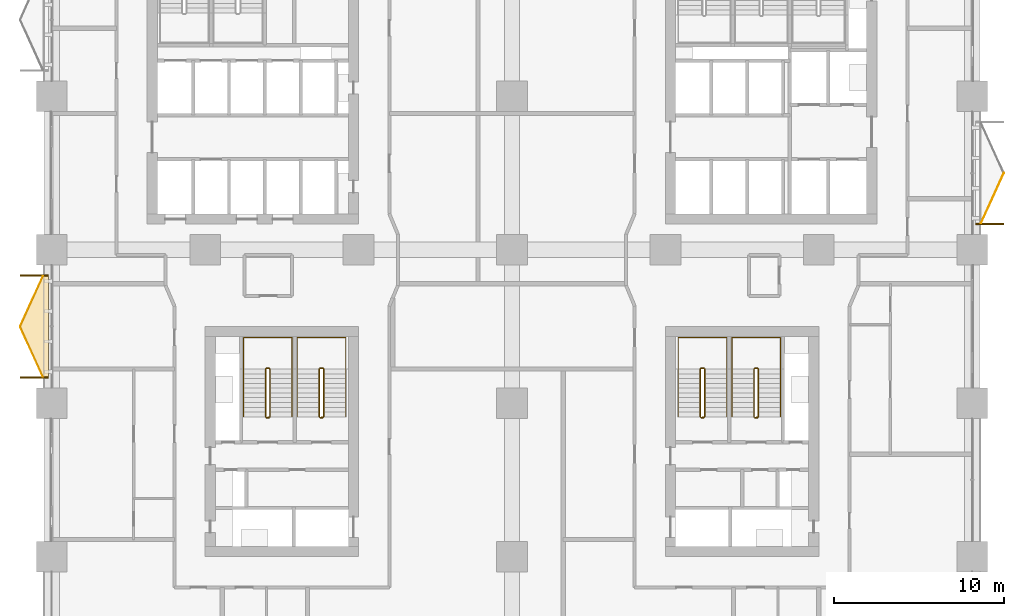
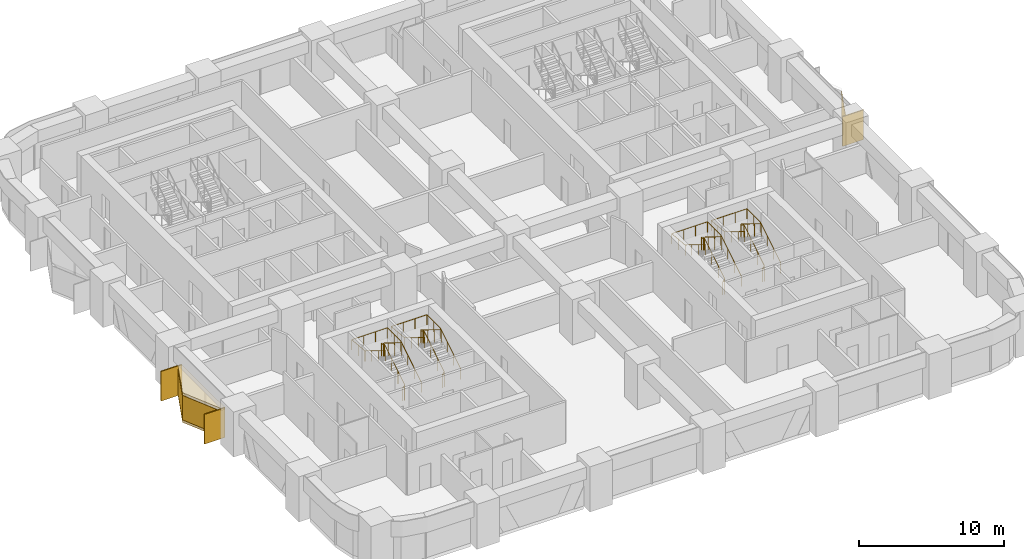
# One storey, part 19 of 21: 8 coverings, 8 railings.
"""IFC4 building model written with IfcOpenShell, lengths in metres."""

from ifc_helpers import new_model, si_unit, direction, frame, origin, origin_2d, place, context, subcontext, project, spatial, polyline, rectangle, circle, outline, extrude, material, layer, layer_set, type_object, element, save


model = new_model("IFC4")

# Units and contexts
model_context = context("Model", 3, precision=1e-05, world=origin(), true_north=direction((0.0, 1.0)))
body_context = subcontext(model_context, "Body", "Model", "MODEL_VIEW")
ifc_project = project(units=[si_unit("LENGTHUNIT", "METRE"), si_unit("AREAUNIT", "SQUARE_METRE"), si_unit("VOLUMEUNIT", "CUBIC_METRE"), si_unit("PLANEANGLEUNIT", "RADIAN"), si_unit("MASSUNIT", "GRAM", prefix="KILO")], contexts=[model_context])

# Site, building, storey
site_placement = place(None, origin())
site = spatial("IfcSite", under=ifc_project, at=site_placement, CompositionType="ELEMENT")
building_placement = place(site_placement, origin())
building = spatial("IfcBuilding", under=site, at=building_placement, Name="Tessera Arch", CompositionType="ELEMENT")
storey_placement = place(building_placement, frame((0.0, 0.0, 42.39990234375)))
storey = spatial("IfcBuildingStorey", under=building, at=storey_placement, Name="L08", CompositionType="ELEMENT", Elevation=42.39990234375)

# Railings
ifc_material_1 = material(Name="Painted steel balustrade", Category="steel")
railing_type_1 = type_object("IfcRailingType", Name="Stair guard 1100", PredefinedType="GUARDRAIL", material=ifc_material_1)
railing_1_placement = place(storey_placement, frame((38.25, 17.14990234375, 0.0)))
element("IfcRailing", 1, at=railing_1_placement, inside=storey, type_object=railing_type_1, Name="L08 S3a stair guard 1", PredefinedType="GUARDRAIL", context=body_context, shape_type="SweptSolid", body=[
    extrude(circle(Radius=0.02392578125, at=origin_2d()), frame((0.00390625, 0.0, 1.076171875), z_axis=(-1.0, 0.0, 0.0), x_axis=(0.0, -1.0, 0.0)), (0.0, 0.0, 1.0), 0.157958984375),
    extrude(circle(Radius=0.02392578125, at=origin_2d()), frame((-0.15283203125, -0.000732421875, 1.073486328125), z_axis=(0.743302536996, 0.186052527575, 0.642561900114), x_axis=(-0.242814311512, 0.970072785993, 0.0)), (0.0, 0.0, 1.0), 0.277099609375),
    extrude(circle(Radius=0.02392578125, at=origin_2d()), frame((0.050048828125, 0.046630859375, 1.246826171875), z_axis=(0.0, 0.851089632645, 0.525020415988), x_axis=(-1.0, 0.0, 0.0)), (0.0, 0.0, 1.0), 3.2978515625),
    extrude(circle(Radius=0.02392578125, at=origin_2d()), frame((0.052978515625, 2.84716796875, 2.97607421875), z_axis=(-0.707106781187, 0.707106781187, 0.0), x_axis=(-0.707106781187, -0.707106781187, 0.0)), (0.0, 0.0, 1.0), 0.078857421875),
    extrude(circle(Radius=0.02392578125, at=origin_2d()), frame((0.00390625, 2.900146484375, 2.97607421875), z_axis=(-1.0, 0.0, 0.0), x_axis=(0.0, -1.0, 0.0)), (0.0, 0.0, 1.0), 0.157958984375),
    extrude(circle(Radius=0.02392578125, at=origin_2d()), frame((-0.14892578125, 2.901123046875, 2.972412109375), z_axis=(-0.268277960024, -0.268277960024, 0.925231793839), x_axis=(0.707106781187, -0.707106781187, 0.0)), (0.0, 0.0, 1.0), 0.194580078125),
    extrude(circle(Radius=0.02392578125, at=origin_2d()), frame((-0.199951171875, 2.853515625, 3.146728515625), z_axis=(0.0, -0.851089632645, 0.525020415988), x_axis=(1.0, 0.0, 0.0)), (0.0, 0.0, 1.0), 3.2978515625),
    extrude(circle(Radius=0.02099609375, at=origin_2d()), origin(), (0.0, 0.0, 1.0), 1.06396484375),
    extrude(circle(Radius=0.02099609375, at=origin_2d()), frame((-0.14990234375, 0.0, 0.0)), (0.0, 0.0, 1.0), 1.06396484375),
    extrude(circle(Radius=0.02099609375, at=origin_2d()), frame((0.050048828125, 0.050048828125, 0.1728515625)), (0.0, 0.0, 1.0), 1.06396484375),
    extrude(circle(Radius=0.02099609375, at=origin_2d()), frame((0.050048828125, 0.9833984375, 0.74853515625)), (0.0, 0.0, 1.0), 1.06396484375),
    extrude(circle(Radius=0.02099609375, at=origin_2d()), frame((0.050048828125, 1.916748046875, 1.324462890625)), (0.0, 0.0, 1.0), 1.06396484375),
    extrude(circle(Radius=0.02099609375, at=origin_2d()), frame((0.050048828125, 2.85009765625, 1.900146484375)), (0.0, 0.0, 1.0), 1.06396484375),
    extrude(circle(Radius=0.02099609375, at=origin_2d()), frame((0.0, 2.900146484375, 1.900146484375)), (0.0, 0.0, 1.0), 1.06396484375),
    extrude(circle(Radius=0.02099609375, at=origin_2d()), frame((-0.14990234375, 2.900146484375, 1.900146484375)), (0.0, 0.0, 1.0), 1.06396484375),
    extrude(circle(Radius=0.02099609375, at=origin_2d()), frame((-0.199951171875, 2.85009765625, 2.07275390625)), (0.0, 0.0, 1.0), 1.06396484375),
    extrude(circle(Radius=0.02099609375, at=origin_2d()), frame((-0.199951171875, 1.916748046875, 2.6484375)), (0.0, 0.0, 1.0), 1.06396484375),
    extrude(circle(Radius=0.02099609375, at=origin_2d()), frame((-0.199951171875, 0.9833984375, 3.224365234375)), (0.0, 0.0, 1.0), 1.06396484375),
    extrude(circle(Radius=0.02099609375, at=origin_2d()), frame((-0.199951171875, 0.050048828125, 3.800048828125)), (0.0, 0.0, 1.0), 1.06396484375),
])
railing_2_placement = place(storey_placement, frame((41.39990234375, 17.14990234375, 0.0)))
element("IfcRailing", 2, at=railing_2_placement, inside=storey, type_object=railing_type_1, Name="L08 S3b stair guard 1", PredefinedType="GUARDRAIL", context=body_context, shape_type="SweptSolid", body=[
    extrude(circle(Radius=0.02392578125, at=origin_2d()), frame((0.00390625, 0.0, 1.076171875), z_axis=(-1.0, 0.0, 0.0), x_axis=(0.0, -1.0, 0.0)), (0.0, 0.0, 1.0), 0.157958984375),
    extrude(circle(Radius=0.02392578125, at=origin_2d()), frame((-0.15283203125, -0.000732421875, 1.073486328125), z_axis=(0.743302536996, 0.186052527575, 0.642561900114), x_axis=(-0.242814311512, 0.970072785993, 0.0)), (0.0, 0.0, 1.0), 0.277099609375),
    extrude(circle(Radius=0.02392578125, at=origin_2d()), frame((0.050048828125, 0.046630859375, 1.246826171875), z_axis=(0.0, 0.851089632645, 0.525020415988), x_axis=(-1.0, 0.0, 0.0)), (0.0, 0.0, 1.0), 3.2978515625),
    extrude(circle(Radius=0.02392578125, at=origin_2d()), frame((0.052978515625, 2.84716796875, 2.97607421875), z_axis=(-0.707106781187, 0.707106781187, 0.0), x_axis=(-0.707106781187, -0.707106781187, 0.0)), (0.0, 0.0, 1.0), 0.078857421875),
    extrude(circle(Radius=0.02392578125, at=origin_2d()), frame((0.00390625, 2.900146484375, 2.97607421875), z_axis=(-1.0, 0.0, 0.0), x_axis=(0.0, -1.0, 0.0)), (0.0, 0.0, 1.0), 0.157958984375),
    extrude(circle(Radius=0.02392578125, at=origin_2d()), frame((-0.14892578125, 2.901123046875, 2.972412109375), z_axis=(-0.268277960024, -0.268277960024, 0.925231793839), x_axis=(0.707106781187, -0.707106781187, 0.0)), (0.0, 0.0, 1.0), 0.194580078125),
    extrude(circle(Radius=0.02392578125, at=origin_2d()), frame((-0.199951171875, 2.853515625, 3.146728515625), z_axis=(0.0, -0.851089632645, 0.525020415988), x_axis=(1.0, 0.0, 0.0)), (0.0, 0.0, 1.0), 3.2978515625),
    extrude(circle(Radius=0.02099609375, at=origin_2d()), origin(), (0.0, 0.0, 1.0), 1.06396484375),
    extrude(circle(Radius=0.02099609375, at=origin_2d()), frame((-0.14990234375, 0.0, 0.0)), (0.0, 0.0, 1.0), 1.06396484375),
    extrude(circle(Radius=0.02099609375, at=origin_2d()), frame((0.050048828125, 0.050048828125, 0.1728515625)), (0.0, 0.0, 1.0), 1.06396484375),
    extrude(circle(Radius=0.02099609375, at=origin_2d()), frame((0.050048828125, 0.9833984375, 0.74853515625)), (0.0, 0.0, 1.0), 1.06396484375),
    extrude(circle(Radius=0.02099609375, at=origin_2d()), frame((0.050048828125, 1.916748046875, 1.324462890625)), (0.0, 0.0, 1.0), 1.06396484375),
    extrude(circle(Radius=0.02099609375, at=origin_2d()), frame((0.050048828125, 2.85009765625, 1.900146484375)), (0.0, 0.0, 1.0), 1.06396484375),
    extrude(circle(Radius=0.02099609375, at=origin_2d()), frame((0.0, 2.900146484375, 1.900146484375)), (0.0, 0.0, 1.0), 1.06396484375),
    extrude(circle(Radius=0.02099609375, at=origin_2d()), frame((-0.14990234375, 2.900146484375, 1.900146484375)), (0.0, 0.0, 1.0), 1.06396484375),
    extrude(circle(Radius=0.02099609375, at=origin_2d()), frame((-0.199951171875, 2.85009765625, 2.07275390625)), (0.0, 0.0, 1.0), 1.06396484375),
    extrude(circle(Radius=0.02099609375, at=origin_2d()), frame((-0.199951171875, 1.916748046875, 2.6484375)), (0.0, 0.0, 1.0), 1.06396484375),
    extrude(circle(Radius=0.02099609375, at=origin_2d()), frame((-0.199951171875, 0.9833984375, 3.224365234375)), (0.0, 0.0, 1.0), 1.06396484375),
    extrude(circle(Radius=0.02099609375, at=origin_2d()), frame((-0.199951171875, 0.050048828125, 3.800048828125)), (0.0, 0.0, 1.0), 1.06396484375),
])
railing_3_placement = place(storey_placement, frame((15.89990234375, 17.14990234375, 0.0)))
element("IfcRailing", 3, at=railing_3_placement, inside=storey, type_object=railing_type_1, Name="L08 S4a stair guard 1", PredefinedType="GUARDRAIL", context=body_context, shape_type="SweptSolid", body=[
    extrude(circle(Radius=0.02392578125, at=origin_2d()), frame((0.00390625, 0.0, 1.076171875), z_axis=(-1.0, 0.0, 0.0), x_axis=(0.0, -1.0, 0.0)), (0.0, 0.0, 1.0), 0.157958984375),
    extrude(circle(Radius=0.02392578125, at=origin_2d()), frame((-0.15283203125, -0.000732421875, 1.073486328125), z_axis=(0.743302536996, 0.186052527575, 0.642561900114), x_axis=(-0.242814311512, 0.970072785993, 0.0)), (0.0, 0.0, 1.0), 0.277099609375),
    extrude(circle(Radius=0.02392578125, at=origin_2d()), frame((0.050048828125, 0.046630859375, 1.246826171875), z_axis=(0.0, 0.851089632645, 0.525020415988), x_axis=(-1.0, 0.0, 0.0)), (0.0, 0.0, 1.0), 3.2978515625),
    extrude(circle(Radius=0.02392578125, at=origin_2d()), frame((0.052978515625, 2.84716796875, 2.97607421875), z_axis=(-0.707106781187, 0.707106781187, 0.0), x_axis=(-0.707106781187, -0.707106781187, 0.0)), (0.0, 0.0, 1.0), 0.078857421875),
    extrude(circle(Radius=0.02392578125, at=origin_2d()), frame((0.00390625, 2.900146484375, 2.97607421875), z_axis=(-1.0, 0.0, 0.0), x_axis=(0.0, -1.0, 0.0)), (0.0, 0.0, 1.0), 0.157958984375),
    extrude(circle(Radius=0.02392578125, at=origin_2d()), frame((-0.14892578125, 2.901123046875, 2.972412109375), z_axis=(-0.268277960024, -0.268277960024, 0.925231793839), x_axis=(0.707106781187, -0.707106781187, 0.0)), (0.0, 0.0, 1.0), 0.194580078125),
    extrude(circle(Radius=0.02392578125, at=origin_2d()), frame((-0.199951171875, 2.853515625, 3.146728515625), z_axis=(0.0, -0.851089632645, 0.525020415988), x_axis=(1.0, 0.0, 0.0)), (0.0, 0.0, 1.0), 3.2978515625),
    extrude(circle(Radius=0.02099609375, at=origin_2d()), origin(), (0.0, 0.0, 1.0), 1.06396484375),
    extrude(circle(Radius=0.02099609375, at=origin_2d()), frame((-0.14990234375, 0.0, 0.0)), (0.0, 0.0, 1.0), 1.06396484375),
    extrude(circle(Radius=0.02099609375, at=origin_2d()), frame((0.050048828125, 0.050048828125, 0.1728515625)), (0.0, 0.0, 1.0), 1.06396484375),
    extrude(circle(Radius=0.02099609375, at=origin_2d()), frame((0.050048828125, 0.9833984375, 0.74853515625)), (0.0, 0.0, 1.0), 1.06396484375),
    extrude(circle(Radius=0.02099609375, at=origin_2d()), frame((0.050048828125, 1.916748046875, 1.324462890625)), (0.0, 0.0, 1.0), 1.06396484375),
    extrude(circle(Radius=0.02099609375, at=origin_2d()), frame((0.050048828125, 2.85009765625, 1.900146484375)), (0.0, 0.0, 1.0), 1.06396484375),
    extrude(circle(Radius=0.02099609375, at=origin_2d()), frame((0.0, 2.900146484375, 1.900146484375)), (0.0, 0.0, 1.0), 1.06396484375),
    extrude(circle(Radius=0.02099609375, at=origin_2d()), frame((-0.14990234375, 2.900146484375, 1.900146484375)), (0.0, 0.0, 1.0), 1.06396484375),
    extrude(circle(Radius=0.02099609375, at=origin_2d()), frame((-0.199951171875, 2.85009765625, 2.07275390625)), (0.0, 0.0, 1.0), 1.06396484375),
    extrude(circle(Radius=0.02099609375, at=origin_2d()), frame((-0.199951171875, 1.916748046875, 2.6484375)), (0.0, 0.0, 1.0), 1.06396484375),
    extrude(circle(Radius=0.02099609375, at=origin_2d()), frame((-0.199951171875, 0.9833984375, 3.224365234375)), (0.0, 0.0, 1.0), 1.06396484375),
    extrude(circle(Radius=0.02099609375, at=origin_2d()), frame((-0.199951171875, 0.050048828125, 3.800048828125)), (0.0, 0.0, 1.0), 1.06396484375),
])
railing_4_placement = place(storey_placement, frame((12.75, 17.14990234375, 0.0)))
element("IfcRailing", 4, at=railing_4_placement, inside=storey, type_object=railing_type_1, Name="L08 S4b stair guard 1", PredefinedType="GUARDRAIL", context=body_context, shape_type="SweptSolid", body=[
    extrude(circle(Radius=0.02392578125, at=origin_2d()), frame((0.00390625, 0.0, 1.076171875), z_axis=(-1.0, 0.0, 0.0), x_axis=(0.0, -1.0, 0.0)), (0.0, 0.0, 1.0), 0.157958984375),
    extrude(circle(Radius=0.02392578125, at=origin_2d()), frame((-0.15283203125, -0.000732421875, 1.073486328125), z_axis=(0.743302536996, 0.186052527575, 0.642561900114), x_axis=(-0.242814311512, 0.970072785993, 0.0)), (0.0, 0.0, 1.0), 0.277099609375),
    extrude(circle(Radius=0.02392578125, at=origin_2d()), frame((0.050048828125, 0.046630859375, 1.246826171875), z_axis=(0.0, 0.851089632645, 0.525020415988), x_axis=(-1.0, 0.0, 0.0)), (0.0, 0.0, 1.0), 3.2978515625),
    extrude(circle(Radius=0.02392578125, at=origin_2d()), frame((0.052978515625, 2.84716796875, 2.97607421875), z_axis=(-0.707106781187, 0.707106781187, 0.0), x_axis=(-0.707106781187, -0.707106781187, 0.0)), (0.0, 0.0, 1.0), 0.078857421875),
    extrude(circle(Radius=0.02392578125, at=origin_2d()), frame((0.00390625, 2.900146484375, 2.97607421875), z_axis=(-1.0, 0.0, 0.0), x_axis=(0.0, -1.0, 0.0)), (0.0, 0.0, 1.0), 0.157958984375),
    extrude(circle(Radius=0.02392578125, at=origin_2d()), frame((-0.14892578125, 2.901123046875, 2.972412109375), z_axis=(-0.268277960024, -0.268277960024, 0.925231793839), x_axis=(0.707106781187, -0.707106781187, 0.0)), (0.0, 0.0, 1.0), 0.194580078125),
    extrude(circle(Radius=0.02392578125, at=origin_2d()), frame((-0.199951171875, 2.853515625, 3.146728515625), z_axis=(0.0, -0.851089632645, 0.525020415988), x_axis=(1.0, 0.0, 0.0)), (0.0, 0.0, 1.0), 3.2978515625),
    extrude(circle(Radius=0.02099609375, at=origin_2d()), origin(), (0.0, 0.0, 1.0), 1.06396484375),
    extrude(circle(Radius=0.02099609375, at=origin_2d()), frame((-0.14990234375, 0.0, 0.0)), (0.0, 0.0, 1.0), 1.06396484375),
    extrude(circle(Radius=0.02099609375, at=origin_2d()), frame((0.050048828125, 0.050048828125, 0.1728515625)), (0.0, 0.0, 1.0), 1.06396484375),
    extrude(circle(Radius=0.02099609375, at=origin_2d()), frame((0.050048828125, 0.9833984375, 0.74853515625)), (0.0, 0.0, 1.0), 1.06396484375),
    extrude(circle(Radius=0.02099609375, at=origin_2d()), frame((0.050048828125, 1.916748046875, 1.324462890625)), (0.0, 0.0, 1.0), 1.06396484375),
    extrude(circle(Radius=0.02099609375, at=origin_2d()), frame((0.050048828125, 2.85009765625, 1.900146484375)), (0.0, 0.0, 1.0), 1.06396484375),
    extrude(circle(Radius=0.02099609375, at=origin_2d()), frame((0.0, 2.900146484375, 1.900146484375)), (0.0, 0.0, 1.0), 1.06396484375),
    extrude(circle(Radius=0.02099609375, at=origin_2d()), frame((-0.14990234375, 2.900146484375, 1.900146484375)), (0.0, 0.0, 1.0), 1.06396484375),
    extrude(circle(Radius=0.02099609375, at=origin_2d()), frame((-0.199951171875, 2.85009765625, 2.07275390625)), (0.0, 0.0, 1.0), 1.06396484375),
    extrude(circle(Radius=0.02099609375, at=origin_2d()), frame((-0.199951171875, 1.916748046875, 2.6484375)), (0.0, 0.0, 1.0), 1.06396484375),
    extrude(circle(Radius=0.02099609375, at=origin_2d()), frame((-0.199951171875, 0.9833984375, 3.224365234375)), (0.0, 0.0, 1.0), 1.06396484375),
    extrude(circle(Radius=0.02099609375, at=origin_2d()), frame((-0.199951171875, 0.050048828125, 3.800048828125)), (0.0, 0.0, 1.0), 1.06396484375),
])
ifc_material_2 = material(Name="Painted steel handrail", Category="steel")
railing_type_2 = type_object("IfcRailingType", Name="Stair handrail 900", PredefinedType="HANDRAIL", material=ifc_material_2)
railing_5_placement = place(storey_placement, frame((39.60009765625, 17.199951171875, 0.1728515625)))
element("IfcRailing", 5, at=railing_5_placement, inside=storey, type_object=railing_type_2, Name="L08 S3a stair handrail", PredefinedType="HANDRAIL", context=body_context, shape_type="SweptSolid", body=[
    extrude(circle(Radius=0.02392578125, at=origin_2d()), frame((0.0, -0.00341796875, 0.873779296875), z_axis=(0.0, 0.851089632645, 0.525020415988), x_axis=(-1.0, 0.0, 0.0)), (0.0, 0.0, 1.0), 3.2978515625),
    extrude(circle(Radius=0.02392578125, at=origin_2d()), frame((0.0, 2.796142578125, 2.60302734375), z_axis=(0.0, 1.0, 0.0), x_axis=(-1.0, 0.0, 0.0)), (0.0, 0.0, 1.0), 1.858154296875),
    extrude(circle(Radius=0.02392578125, at=origin_2d()), frame((0.00390625, 4.650146484375, 2.60302734375), z_axis=(-1.0, 0.0, 0.0), x_axis=(0.0, -1.0, 0.0)), (0.0, 0.0, 1.0), 2.858154296875),
    extrude(circle(Radius=0.02392578125, at=origin_2d()), frame((-2.85009765625, 4.654052734375, 2.602783203125), z_axis=(0.0, -0.995676099079, 0.092892979948), x_axis=(1.0, 0.0, 0.0)), (0.0, 0.0, 1.0), 1.8662109375),
    extrude(circle(Radius=0.02392578125, at=origin_2d()), frame((-2.85009765625, 2.803466796875, 2.773681640625), z_axis=(0.0, -0.851089632645, 0.525020415988), x_axis=(1.0, 0.0, 0.0)), (0.0, 0.0, 1.0), 3.2978515625),
    extrude(circle(Radius=0.02099609375, at=origin_2d()), origin(), (0.0, 0.0, 1.0), 0.86376953125),
    extrude(circle(Radius=0.02099609375, at=origin_2d()), frame((0.0, 0.933349609375, 0.57568359375)), (0.0, 0.0, 1.0), 0.86376953125),
    extrude(circle(Radius=0.02099609375, at=origin_2d()), frame((0.0, 1.86669921875, 1.151611328125)), (0.0, 0.0, 1.0), 0.86376953125),
    extrude(circle(Radius=0.02099609375, at=origin_2d()), frame((0.0, 2.800048828125, 1.727294921875)), (0.0, 0.0, 1.0), 0.86376953125),
    extrude(circle(Radius=0.02099609375, at=origin_2d()), frame((0.0, 3.72509765625, 1.727294921875)), (0.0, 0.0, 1.0), 0.86376953125),
    extrude(circle(Radius=0.02099609375, at=origin_2d()), frame((0.0, 4.650146484375, 1.727294921875)), (0.0, 0.0, 1.0), 0.86376953125),
    extrude(circle(Radius=0.02099609375, at=origin_2d()), frame((-0.949951171875, 4.650146484375, 1.727294921875)), (0.0, 0.0, 1.0), 0.86376953125),
    extrude(circle(Radius=0.02099609375, at=origin_2d()), frame((-1.900146484375, 4.650146484375, 1.727294921875)), (0.0, 0.0, 1.0), 0.86376953125),
    extrude(circle(Radius=0.02099609375, at=origin_2d()), frame((-2.85009765625, 4.650146484375, 1.727294921875)), (0.0, 0.0, 1.0), 0.86376953125),
    extrude(circle(Radius=0.02099609375, at=origin_2d()), frame((-2.85009765625, 3.72509765625, 1.8134765625)), (0.0, 0.0, 1.0), 0.86376953125),
    extrude(circle(Radius=0.02099609375, at=origin_2d()), frame((-2.85009765625, 2.800048828125, 1.89990234375)), (0.0, 0.0, 1.0), 0.86376953125),
    extrude(circle(Radius=0.02099609375, at=origin_2d()), frame((-2.85009765625, 1.86669921875, 2.4755859375)), (0.0, 0.0, 1.0), 0.86376953125),
    extrude(circle(Radius=0.02099609375, at=origin_2d()), frame((-2.85009765625, 0.933349609375, 3.051513671875)), (0.0, 0.0, 1.0), 0.86376953125),
    extrude(circle(Radius=0.02099609375, at=origin_2d()), frame((-2.85009765625, 0.0, 3.627197265625)), (0.0, 0.0, 1.0), 0.86376953125),
])
railing_6_placement = place(storey_placement, frame((42.75, 17.199951171875, 0.1728515625)))
element("IfcRailing", 6, at=railing_6_placement, inside=storey, type_object=railing_type_2, Name="L08 S3b stair handrail", PredefinedType="HANDRAIL", context=body_context, shape_type="SweptSolid", body=[
    extrude(circle(Radius=0.02392578125, at=origin_2d()), frame((0.0, -0.00341796875, 0.873779296875), z_axis=(0.0, 0.851089632645, 0.525020415988), x_axis=(-1.0, 0.0, 0.0)), (0.0, 0.0, 1.0), 3.2978515625),
    extrude(circle(Radius=0.02392578125, at=origin_2d()), frame((0.0, 2.796142578125, 2.60302734375), z_axis=(0.0, 1.0, 0.0), x_axis=(-1.0, 0.0, 0.0)), (0.0, 0.0, 1.0), 1.858154296875),
    extrude(circle(Radius=0.02392578125, at=origin_2d()), frame((0.00390625, 4.650146484375, 2.60302734375), z_axis=(-1.0, 0.0, 0.0), x_axis=(0.0, -1.0, 0.0)), (0.0, 0.0, 1.0), 2.858154296875),
    extrude(circle(Radius=0.02392578125, at=origin_2d()), frame((-2.85009765625, 4.654052734375, 2.602783203125), z_axis=(0.0, -0.995676099079, 0.092892979948), x_axis=(1.0, 0.0, 0.0)), (0.0, 0.0, 1.0), 1.8662109375),
    extrude(circle(Radius=0.02392578125, at=origin_2d()), frame((-2.85009765625, 2.803466796875, 2.773681640625), z_axis=(0.0, -0.851089632645, 0.525020415988), x_axis=(1.0, 0.0, 0.0)), (0.0, 0.0, 1.0), 3.2978515625),
    extrude(circle(Radius=0.02099609375, at=origin_2d()), origin(), (0.0, 0.0, 1.0), 0.86376953125),
    extrude(circle(Radius=0.02099609375, at=origin_2d()), frame((0.0, 0.933349609375, 0.57568359375)), (0.0, 0.0, 1.0), 0.86376953125),
    extrude(circle(Radius=0.02099609375, at=origin_2d()), frame((0.0, 1.86669921875, 1.151611328125)), (0.0, 0.0, 1.0), 0.86376953125),
    extrude(circle(Radius=0.02099609375, at=origin_2d()), frame((0.0, 2.800048828125, 1.727294921875)), (0.0, 0.0, 1.0), 0.86376953125),
    extrude(circle(Radius=0.02099609375, at=origin_2d()), frame((0.0, 3.72509765625, 1.727294921875)), (0.0, 0.0, 1.0), 0.86376953125),
    extrude(circle(Radius=0.02099609375, at=origin_2d()), frame((0.0, 4.650146484375, 1.727294921875)), (0.0, 0.0, 1.0), 0.86376953125),
    extrude(circle(Radius=0.02099609375, at=origin_2d()), frame((-0.949951171875, 4.650146484375, 1.727294921875)), (0.0, 0.0, 1.0), 0.86376953125),
    extrude(circle(Radius=0.02099609375, at=origin_2d()), frame((-1.900146484375, 4.650146484375, 1.727294921875)), (0.0, 0.0, 1.0), 0.86376953125),
    extrude(circle(Radius=0.02099609375, at=origin_2d()), frame((-2.85009765625, 4.650146484375, 1.727294921875)), (0.0, 0.0, 1.0), 0.86376953125),
    extrude(circle(Radius=0.02099609375, at=origin_2d()), frame((-2.85009765625, 3.72509765625, 1.8134765625)), (0.0, 0.0, 1.0), 0.86376953125),
    extrude(circle(Radius=0.02099609375, at=origin_2d()), frame((-2.85009765625, 2.800048828125, 1.89990234375)), (0.0, 0.0, 1.0), 0.86376953125),
    extrude(circle(Radius=0.02099609375, at=origin_2d()), frame((-2.85009765625, 1.86669921875, 2.4755859375)), (0.0, 0.0, 1.0), 0.86376953125),
    extrude(circle(Radius=0.02099609375, at=origin_2d()), frame((-2.85009765625, 0.933349609375, 3.051513671875)), (0.0, 0.0, 1.0), 0.86376953125),
    extrude(circle(Radius=0.02099609375, at=origin_2d()), frame((-2.85009765625, 0.0, 3.627197265625)), (0.0, 0.0, 1.0), 0.86376953125),
])
railing_7_placement = place(storey_placement, frame((17.25, 17.199951171875, 0.1728515625)))
element("IfcRailing", 7, at=railing_7_placement, inside=storey, type_object=railing_type_2, Name="L08 S4a stair handrail", PredefinedType="HANDRAIL", context=body_context, shape_type="SweptSolid", body=[
    extrude(circle(Radius=0.02392578125, at=origin_2d()), frame((0.0, -0.00341796875, 0.873779296875), z_axis=(0.0, 0.851089632645, 0.525020415988), x_axis=(-1.0, 0.0, 0.0)), (0.0, 0.0, 1.0), 3.2978515625),
    extrude(circle(Radius=0.02392578125, at=origin_2d()), frame((0.0, 2.796142578125, 2.60302734375), z_axis=(0.0, 1.0, 0.0), x_axis=(-1.0, 0.0, 0.0)), (0.0, 0.0, 1.0), 1.858154296875),
    extrude(circle(Radius=0.02392578125, at=origin_2d()), frame((0.00390625, 4.650146484375, 2.60302734375), z_axis=(-1.0, 0.0, 0.0), x_axis=(0.0, -1.0, 0.0)), (0.0, 0.0, 1.0), 2.858154296875),
    extrude(circle(Radius=0.02392578125, at=origin_2d()), frame((-2.85009765625, 4.654052734375, 2.602783203125), z_axis=(0.0, -0.995676099079, 0.092892979948), x_axis=(1.0, 0.0, 0.0)), (0.0, 0.0, 1.0), 1.8662109375),
    extrude(circle(Radius=0.02392578125, at=origin_2d()), frame((-2.85009765625, 2.803466796875, 2.773681640625), z_axis=(0.0, -0.851089632645, 0.525020415988), x_axis=(1.0, 0.0, 0.0)), (0.0, 0.0, 1.0), 3.2978515625),
    extrude(circle(Radius=0.02099609375, at=origin_2d()), origin(), (0.0, 0.0, 1.0), 0.86376953125),
    extrude(circle(Radius=0.02099609375, at=origin_2d()), frame((0.0, 0.933349609375, 0.57568359375)), (0.0, 0.0, 1.0), 0.86376953125),
    extrude(circle(Radius=0.02099609375, at=origin_2d()), frame((0.0, 1.86669921875, 1.151611328125)), (0.0, 0.0, 1.0), 0.86376953125),
    extrude(circle(Radius=0.02099609375, at=origin_2d()), frame((0.0, 2.800048828125, 1.727294921875)), (0.0, 0.0, 1.0), 0.86376953125),
    extrude(circle(Radius=0.02099609375, at=origin_2d()), frame((0.0, 3.72509765625, 1.727294921875)), (0.0, 0.0, 1.0), 0.86376953125),
    extrude(circle(Radius=0.02099609375, at=origin_2d()), frame((0.0, 4.650146484375, 1.727294921875)), (0.0, 0.0, 1.0), 0.86376953125),
    extrude(circle(Radius=0.02099609375, at=origin_2d()), frame((-0.949951171875, 4.650146484375, 1.727294921875)), (0.0, 0.0, 1.0), 0.86376953125),
    extrude(circle(Radius=0.02099609375, at=origin_2d()), frame((-1.900146484375, 4.650146484375, 1.727294921875)), (0.0, 0.0, 1.0), 0.86376953125),
    extrude(circle(Radius=0.02099609375, at=origin_2d()), frame((-2.85009765625, 4.650146484375, 1.727294921875)), (0.0, 0.0, 1.0), 0.86376953125),
    extrude(circle(Radius=0.02099609375, at=origin_2d()), frame((-2.85009765625, 3.72509765625, 1.8134765625)), (0.0, 0.0, 1.0), 0.86376953125),
    extrude(circle(Radius=0.02099609375, at=origin_2d()), frame((-2.85009765625, 2.800048828125, 1.89990234375)), (0.0, 0.0, 1.0), 0.86376953125),
    extrude(circle(Radius=0.02099609375, at=origin_2d()), frame((-2.85009765625, 1.86669921875, 2.4755859375)), (0.0, 0.0, 1.0), 0.86376953125),
    extrude(circle(Radius=0.02099609375, at=origin_2d()), frame((-2.85009765625, 0.933349609375, 3.051513671875)), (0.0, 0.0, 1.0), 0.86376953125),
    extrude(circle(Radius=0.02099609375, at=origin_2d()), frame((-2.85009765625, 0.0, 3.627197265625)), (0.0, 0.0, 1.0), 0.86376953125),
])
railing_8_placement = place(storey_placement, frame((14.10009765625, 17.199951171875, 0.1728515625)))
element("IfcRailing", 8, at=railing_8_placement, inside=storey, type_object=railing_type_2, Name="L08 S4b stair handrail", PredefinedType="HANDRAIL", context=body_context, shape_type="SweptSolid", body=[
    extrude(circle(Radius=0.02392578125, at=origin_2d()), frame((0.0, -0.00341796875, 0.873779296875), z_axis=(0.0, 0.851089632645, 0.525020415988), x_axis=(-1.0, 0.0, 0.0)), (0.0, 0.0, 1.0), 3.2978515625),
    extrude(circle(Radius=0.02392578125, at=origin_2d()), frame((0.0, 2.796142578125, 2.60302734375), z_axis=(0.0, 1.0, 0.0), x_axis=(-1.0, 0.0, 0.0)), (0.0, 0.0, 1.0), 1.858154296875),
    extrude(circle(Radius=0.02392578125, at=origin_2d()), frame((0.00390625, 4.650146484375, 2.60302734375), z_axis=(-1.0, 0.0, 0.0), x_axis=(0.0, -1.0, 0.0)), (0.0, 0.0, 1.0), 2.858154296875),
    extrude(circle(Radius=0.02392578125, at=origin_2d()), frame((-2.85009765625, 4.654052734375, 2.602783203125), z_axis=(0.0, -0.995676099079, 0.092892979948), x_axis=(1.0, 0.0, 0.0)), (0.0, 0.0, 1.0), 1.8662109375),
    extrude(circle(Radius=0.02392578125, at=origin_2d()), frame((-2.85009765625, 2.803466796875, 2.773681640625), z_axis=(0.0, -0.851089632645, 0.525020415988), x_axis=(1.0, 0.0, 0.0)), (0.0, 0.0, 1.0), 3.2978515625),
    extrude(circle(Radius=0.02099609375, at=origin_2d()), origin(), (0.0, 0.0, 1.0), 0.86376953125),
    extrude(circle(Radius=0.02099609375, at=origin_2d()), frame((0.0, 0.933349609375, 0.57568359375)), (0.0, 0.0, 1.0), 0.86376953125),
    extrude(circle(Radius=0.02099609375, at=origin_2d()), frame((0.0, 1.86669921875, 1.151611328125)), (0.0, 0.0, 1.0), 0.86376953125),
    extrude(circle(Radius=0.02099609375, at=origin_2d()), frame((0.0, 2.800048828125, 1.727294921875)), (0.0, 0.0, 1.0), 0.86376953125),
    extrude(circle(Radius=0.02099609375, at=origin_2d()), frame((0.0, 3.72509765625, 1.727294921875)), (0.0, 0.0, 1.0), 0.86376953125),
    extrude(circle(Radius=0.02099609375, at=origin_2d()), frame((0.0, 4.650146484375, 1.727294921875)), (0.0, 0.0, 1.0), 0.86376953125),
    extrude(circle(Radius=0.02099609375, at=origin_2d()), frame((-0.949951171875, 4.650146484375, 1.727294921875)), (0.0, 0.0, 1.0), 0.86376953125),
    extrude(circle(Radius=0.02099609375, at=origin_2d()), frame((-1.900146484375, 4.650146484375, 1.727294921875)), (0.0, 0.0, 1.0), 0.86376953125),
    extrude(circle(Radius=0.02099609375, at=origin_2d()), frame((-2.85009765625, 4.650146484375, 1.727294921875)), (0.0, 0.0, 1.0), 0.86376953125),
    extrude(circle(Radius=0.02099609375, at=origin_2d()), frame((-2.85009765625, 3.72509765625, 1.8134765625)), (0.0, 0.0, 1.0), 0.86376953125),
    extrude(circle(Radius=0.02099609375, at=origin_2d()), frame((-2.85009765625, 2.800048828125, 1.89990234375)), (0.0, 0.0, 1.0), 0.86376953125),
    extrude(circle(Radius=0.02099609375, at=origin_2d()), frame((-2.85009765625, 1.86669921875, 2.4755859375)), (0.0, 0.0, 1.0), 0.86376953125),
    extrude(circle(Radius=0.02099609375, at=origin_2d()), frame((-2.85009765625, 0.933349609375, 3.051513671875)), (0.0, 0.0, 1.0), 0.86376953125),
    extrude(circle(Radius=0.02099609375, at=origin_2d()), frame((-2.85009765625, 0.0, 3.627197265625)), (0.0, 0.0, 1.0), 0.86376953125),
])

# Coverings
ifc_material_3 = material(Name="Anodised aluminium pale metal", Category="aluminium")
ifc_layer_1 = layer(ifc_material_3, 0.080078125)
ifc_layer_set_1 = layer_set([ifc_layer_1], Name="Window box cheek")
covering_type_1 = type_object("IfcCoveringType", Name="Window box cheek", PredefinedType="CLADDING", material=ifc_layer_set_1)
covering_1_placement = place(storey_placement, origin())
element("IfcCovering", 9, at=covering_1_placement, inside=storey, type_object=covering_type_1, Name="Window box W0.0/3.0 2x1 cheek", PredefinedType="CLADDING", context=body_context, shape_type="SweptSolid", body=[
    extrude(outline(polyline([(-1.85009765625, 25.530029296875), (-1.85009765625, 25.449951171875), (-0.199951171875, 25.449951171875), (-0.199951171875, 25.530029296875), (-1.85009765625, 25.530029296875)])), origin(), (0.0, 0.0, 1.0), 2.5),
])
covering_2_placement = place(storey_placement, origin())
element("IfcCovering", 10, at=covering_2_placement, inside=storey, type_object=covering_type_1, Name="Window box W0.0/3.0 2x1 cheek", PredefinedType="CLADDING", context=body_context, shape_type="SweptSolid", body=[
    extrude(outline(polyline([(-1.85009765625, 19.550048828125), (-1.85009765625, 19.469970703125), (-0.199951171875, 19.469970703125), (-0.199951171875, 19.550048828125), (-1.85009765625, 19.550048828125)])), origin(), (0.0, 0.0, 1.0), 2.5),
])
covering_3_placement = place(storey_placement, origin())
element("IfcCovering", 11, at=covering_3_placement, inside=storey, type_object=covering_type_1, Name="Window box E54.0/3.0 2x1 cheek", PredefinedType="CLADDING", context=body_context, shape_type="SweptSolid", body=[
    extrude(outline(polyline([(55.85009765625, 28.469970703125), (55.85009765625, 28.550048828125), (54.199951171875, 28.550048828125), (54.199951171875, 28.469970703125), (55.85009765625, 28.469970703125)])), origin(), (0.0, 0.0, 1.0), 2.5),
])
ifc_material_4 = material(Name="Anodised aluminium cobalt blue", Category="aluminium")
ifc_layer_2 = layer(ifc_material_4, 0.219970703125)
ifc_layer_set_2 = layer_set([ifc_layer_2], Name="Window box frame plate cobalt")
covering_type_2 = type_object("IfcCoveringType", Name="Window box frame plate cobalt", PredefinedType="CLADDING", material=ifc_layer_set_2)
covering_4_placement = place(storey_placement, origin())
element("IfcCovering", 12, at=covering_4_placement, inside=storey, type_object=covering_type_2, Name="Window box W0.0/3.0 2x1 floor", PredefinedType="CLADDING", context=body_context, shape_type="SweptSolid", body=[
    extrude(outline(polyline([(-0.510009765625, 25.449951171875), (-1.85009765625, 22.5), (-0.510009765625, 19.550048828125), (-0.199951171875, 19.550048828125), (-0.199951171875, 25.449951171875), (-0.510009765625, 25.449951171875)])), origin(), (0.0, 0.0, 1.0), 0.22021484375),
])
covering_5_placement = place(storey_placement, frame((0.0, 0.0, 2.280029296875)))
element("IfcCovering", 13, at=covering_5_placement, inside=storey, type_object=covering_type_2, Name="Window box W0.0/3.0 2x1 roof", PredefinedType="CLADDING", context=body_context, shape_type="SweptSolid", body=[
    extrude(outline(polyline([(-0.510009765625, 25.449951171875), (-1.85009765625, 22.5), (-0.510009765625, 19.550048828125), (-0.199951171875, 19.550048828125), (-0.199951171875, 25.449951171875), (-0.510009765625, 25.449951171875)])), origin(), (0.0, 0.0, 1.0), 0.219970703125),
])
ifc_material_5 = material(Name="Anodised aluminium pale metal", Category="aluminium")
ifc_layer_3 = layer(ifc_material_5, 0.028076171875)
ifc_layer_set_3 = layer_set([ifc_layer_3], Name="Window box side panel")
covering_type_3 = type_object("IfcCoveringType", Name="Window box side panel", PredefinedType="CLADDING", material=ifc_layer_set_3)
for number, where, z_axis, x_axis, name in (
    (14, (-1.179931640625, 23.97509765625, 0.219970703125), (0.0, 0.0, 1.0), (-0.413570397858, -0.910472144558, 0.0), "Window box W0.0/3.0 2x1 side panel"),
    (15, (-1.179931640625, 21.02490234375, 0.219970703125), (0.0, 0.0, 1.0), (-0.413570397858, 0.910472144558, 0.0), "Window box W0.0/3.0 2x1 side panel"),
    (16, (55.179931640625, 30.02490234375, 0.219970703125), (0.0, 0.0, 1.0), (0.413570397858, 0.910472144558, 0.0), "Window box E54.0/3.0 2x1 side panel"),
):
    element("IfcCovering", number, at=place(storey_placement, frame(where, z_axis=z_axis, x_axis=x_axis)), inside=storey, type_object=covering_type_3, Name=name, PredefinedType="CLADDING", context=body_context, shape_type="SweptSolid", body=[
        extrude(rectangle(XDim=3.239990234375, YDim=0.028076171875, at=origin_2d()), origin(), (0.0, 0.0, 1.0), 2.06005859375),
    ])

save(model, "model.ifc")
